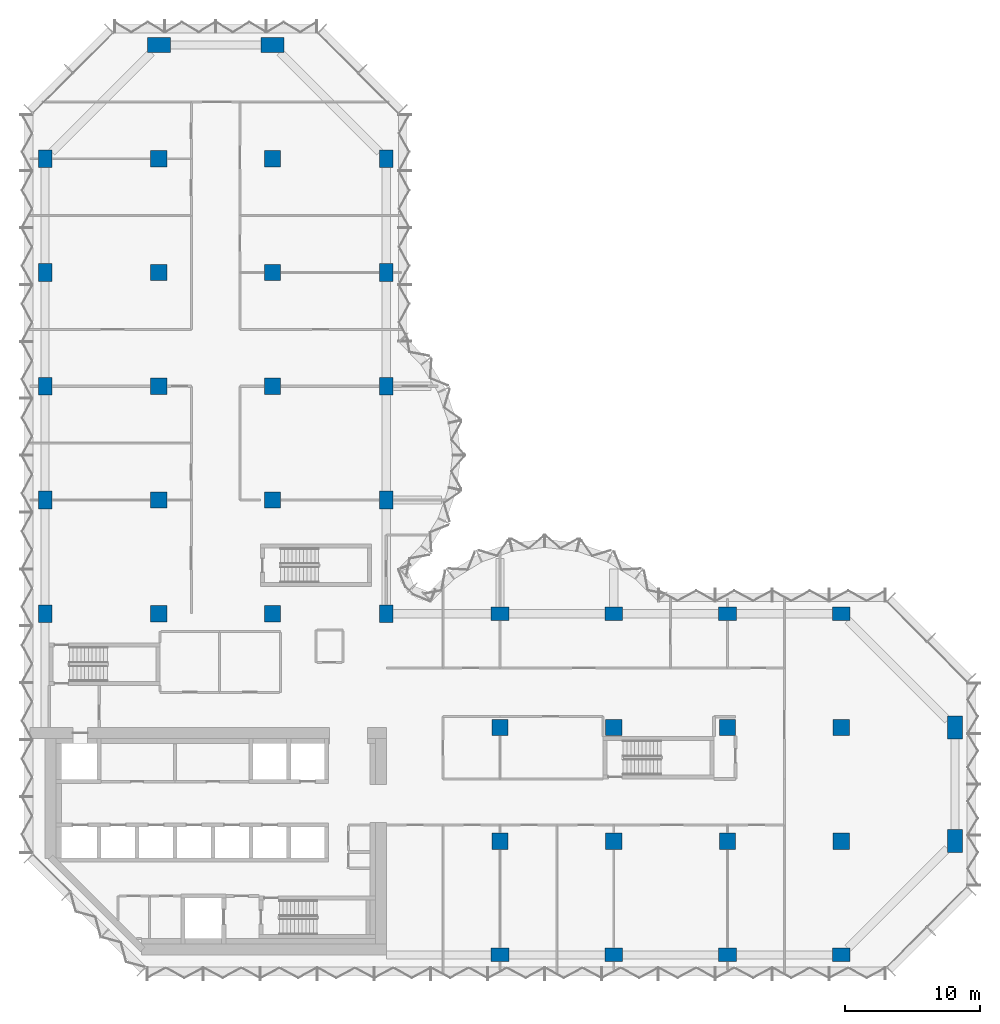
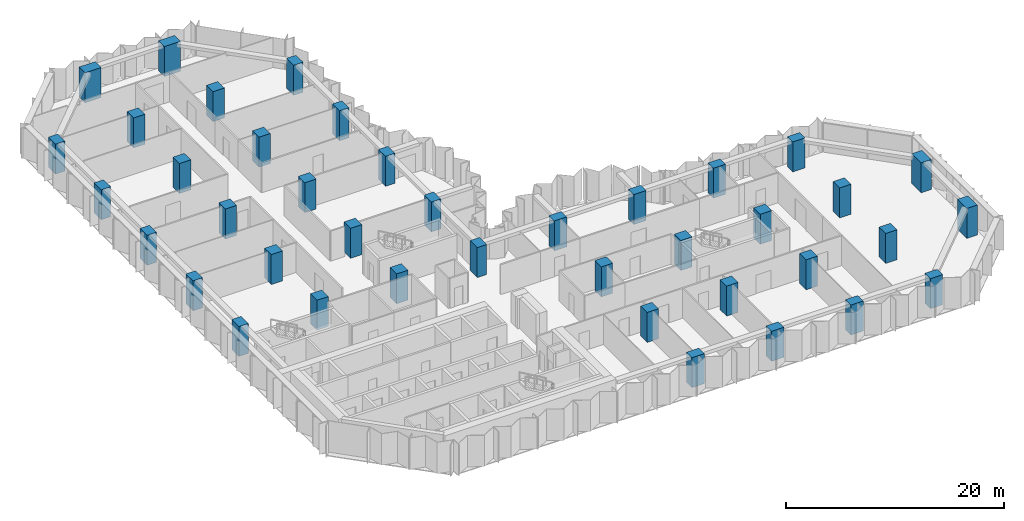
# One storey, part 1 of 13: 40 columns.
"""IFC4 building model written with IfcOpenShell, lengths in metres."""

from ifc_helpers import new_model, si_unit, direction, frame, origin, origin_2d, place, context, subcontext, project, spatial, rectangle, extrude, material, material_profile, profile_set, type_object, element, save


model = new_model("IFC4")

# Units and contexts
model_context = context("Model", 3, precision=1e-05, world=origin(), true_north=direction((0.0, 1.0)))
body_context = subcontext(model_context, "Body", "Model", "MODEL_VIEW")
ifc_project = project(units=[si_unit("LENGTHUNIT", "METRE"), si_unit("AREAUNIT", "SQUARE_METRE"), si_unit("VOLUMEUNIT", "CUBIC_METRE"), si_unit("PLANEANGLEUNIT", "RADIAN"), si_unit("MASSUNIT", "GRAM", prefix="KILO")], contexts=[model_context])

# Site, building, storey
site_placement = place(None, origin())
site = spatial("IfcSite", under=ifc_project, at=site_placement, CompositionType="ELEMENT")
building_placement = place(site_placement, origin())
building = spatial("IfcBuilding", under=site, at=building_placement, Name="Brevane Broadcast Tower", CompositionType="ELEMENT")
storey_placement = place(building_placement, frame((0.0, 0.0, 131.300048828125)))
storey = spatial("IfcBuildingStorey", under=building, at=storey_placement, Name="L32", CompositionType="ELEMENT", Elevation=131.300048828125)

# Columns
ifc_material = material(Name="Concrete C60/75", Category="concrete")
ifc_material_profile_1 = material_profile(ifc_material, rectangle(XDim=1.0, YDim=1.300048828125, at=origin_2d()), Name="RC 1000x1300")
ifc_profile_set_1 = profile_set([ifc_material_profile_1], Name="Concrete C60/75")
column_type_1 = type_object("IfcColumnType", Name="RC COLUMN EDGE 1000x1300 C60/75", PredefinedType="COLUMN", material=ifc_profile_set_1)
for number, where, z_axis, x_axis, name in (
    (1, (0.0, 25.199951171875, 0.0), (0.0, 0.0, 1.0), (1.0, 0.0, 0.0), "CE8 1/D"),
    (2, (0.0, 33.60009765625, 0.0), (0.0, 0.0, 1.0), (1.0, 0.0, 0.0), "CE8 1/E"),
    (3, (0.0, 42.0, 0.0), (0.0, 0.0, 1.0), (1.0, 0.0, 0.0), "CE8 1/F"),
    (4, (0.0, 50.39990234375, 0.0), (0.0, 0.0, 1.0), (1.0, 0.0, 0.0), "CE8 1/G"),
    (5, (0.0, 58.800048828125, 0.0), (0.0, 0.0, 1.0), (1.0, 0.0, 0.0), "CE8 1/H"),
    (6, (25.199951171875, 25.199951171875, 0.0), (0.0, 0.0, 1.0), (1.0, 0.0, 0.0), "CE8 4/D"),
    (7, (25.199951171875, 33.60009765625, 0.0), (0.0, 0.0, 1.0), (1.0, 0.0, 0.0), "CE8 4/E"),
    (8, (25.199951171875, 42.0, 0.0), (0.0, 0.0, 1.0), (1.0, 0.0, 0.0), "CE8 4/F"),
    (9, (25.199951171875, 50.39990234375, 0.0), (0.0, 0.0, 1.0), (1.0, 0.0, 0.0), "CE8 4/G"),
    (10, (25.199951171875, 58.800048828125, 0.0), (0.0, 0.0, 1.0), (1.0, 0.0, 0.0), "CE8 4/H"),
    (11, (33.60009765625, 0.0, 0.0), (0.0, 0.0, 1.0), (0.0, 1.0, 0.0), "CE8 5/A"),
    (12, (33.60009765625, 25.199951171875, 0.0), (0.0, 0.0, 1.0), (0.0, 1.0, 0.0), "CE8 5/D"),
    (13, (42.0, 0.0, 0.0), (0.0, 0.0, 1.0), (0.0, 1.0, 0.0), "CE8 6/A"),
    (14, (42.0, 25.199951171875, 0.0), (0.0, 0.0, 1.0), (0.0, 1.0, 0.0), "CE8 6/D"),
    (15, (50.39990234375, 0.0, 0.0), (0.0, 0.0, 1.0), (0.0, 1.0, 0.0), "CE8 7/A"),
    (16, (50.39990234375, 25.199951171875, 0.0), (0.0, 0.0, 1.0), (0.0, 1.0, 0.0), "CE8 7/D"),
    (17, (58.800048828125, 0.0, 0.0), (0.0, 0.0, 1.0), (0.0, 1.0, 0.0), "CE8 8/A"),
    (18, (58.800048828125, 25.199951171875, 0.0), (0.0, 0.0, 1.0), (0.0, 1.0, 0.0), "CE8 8/D"),
):
    element("IfcColumn", number, at=place(storey_placement, frame(where, z_axis=z_axis, x_axis=x_axis)), inside=storey, type_object=column_type_1, Name=name, PredefinedType="COLUMN", context=body_context, shape_type="SweptSolid", body=[
        extrude(rectangle(XDim=1.0, YDim=1.300048828125, at=origin_2d()), origin(), (0.0, 0.0, 1.0), 3.349853515625),
    ])
ifc_material_profile_2 = material_profile(ifc_material, rectangle(XDim=1.199951171875, YDim=1.199951171875, at=origin_2d()), Name="RC 1200x1200")
ifc_profile_set_2 = profile_set([ifc_material_profile_2], Name="Concrete C60/75")
column_type_2 = type_object("IfcColumnType", Name="RC COLUMN INTERIOR 1200x1200 C60/75", PredefinedType="COLUMN", material=ifc_profile_set_2)
for number, where, z_axis, x_axis, name in (
    (19, (8.39990234375, 25.199951171875, 0.0), (0.0, 0.0, 1.0), (1.0, 0.0, 0.0), "CI9 2/D"),
    (20, (8.39990234375, 33.60009765625, 0.0), (0.0, 0.0, 1.0), (1.0, 0.0, 0.0), "CI9 2/E"),
    (21, (8.39990234375, 42.0, 0.0), (0.0, 0.0, 1.0), (1.0, 0.0, 0.0), "CI9 2/F"),
    (22, (8.39990234375, 50.39990234375, 0.0), (0.0, 0.0, 1.0), (1.0, 0.0, 0.0), "CI9 2/G"),
    (23, (8.39990234375, 58.800048828125, 0.0), (0.0, 0.0, 1.0), (1.0, 0.0, 0.0), "CI9 2/H"),
    (24, (16.800048828125, 25.199951171875, 0.0), (0.0, 0.0, 1.0), (1.0, 0.0, 0.0), "CI9 3/D"),
    (25, (16.800048828125, 33.60009765625, 0.0), (0.0, 0.0, 1.0), (1.0, 0.0, 0.0), "CI9 3/E"),
    (26, (16.800048828125, 42.0, 0.0), (0.0, 0.0, 1.0), (1.0, 0.0, 0.0), "CI9 3/F"),
    (27, (16.800048828125, 50.39990234375, 0.0), (0.0, 0.0, 1.0), (1.0, 0.0, 0.0), "CI9 3/G"),
    (28, (16.800048828125, 58.800048828125, 0.0), (0.0, 0.0, 1.0), (1.0, 0.0, 0.0), "CI9 3/H"),
    (29, (33.60009765625, 8.39990234375, 0.0), (0.0, 0.0, 1.0), (1.0, 0.0, 0.0), "CI9 5/B"),
    (30, (33.60009765625, 16.800048828125, 0.0), (0.0, 0.0, 1.0), (1.0, 0.0, 0.0), "CI9 5/C"),
    (31, (42.0, 8.39990234375, 0.0), (0.0, 0.0, 1.0), (1.0, 0.0, 0.0), "CI9 6/B"),
    (32, (42.0, 16.800048828125, 0.0), (0.0, 0.0, 1.0), (1.0, 0.0, 0.0), "CI9 6/C"),
    (33, (50.39990234375, 8.39990234375, 0.0), (0.0, 0.0, 1.0), (1.0, 0.0, 0.0), "CI9 7/B"),
    (34, (50.39990234375, 16.800048828125, 0.0), (0.0, 0.0, 1.0), (1.0, 0.0, 0.0), "CI9 7/C"),
    (35, (58.800048828125, 8.39990234375, 0.0), (0.0, 0.0, 1.0), (1.0, 0.0, 0.0), "CI9 8/B"),
    (36, (58.800048828125, 16.800048828125, 0.0), (0.0, 0.0, 1.0), (1.0, 0.0, 0.0), "CI9 8/C"),
):
    element("IfcColumn", number, at=place(storey_placement, frame(where, z_axis=z_axis, x_axis=x_axis)), inside=storey, type_object=column_type_2, Name=name, PredefinedType="COLUMN", context=body_context, shape_type="SweptSolid", body=[
        extrude(rectangle(XDim=1.199951171875, YDim=1.199951171875, at=origin_2d()), origin(), (0.0, 0.0, 1.0), 3.349853515625),
    ])
ifc_material_profile_3 = material_profile(ifc_material, rectangle(XDim=1.10009765625, YDim=1.699951171875, at=origin_2d()), Name="RC 1100x1700")
ifc_profile_set_3 = profile_set([ifc_material_profile_3], Name="Concrete C60/75")
column_type_3 = type_object("IfcColumnType", Name="RC COLUMN WING-END 1100x1700 C60/75", PredefinedType="COLUMN", material=ifc_profile_set_3)
for number, where, z_axis, x_axis, name in (
    (37, (8.39990234375, 67.199951171875, 0.0), (0.0, 0.0, 1.0), (0.0, 1.0, 0.0), "CW10 2/I"),
    (38, (16.800048828125, 67.199951171875, 0.0), (0.0, 0.0, 1.0), (0.0, 1.0, 0.0), "CW10 3/I"),
    (39, (67.199951171875, 8.39990234375, 0.0), (0.0, 0.0, 1.0), (1.0, 0.0, 0.0), "CW10 9/B"),
    (40, (67.199951171875, 16.800048828125, 0.0), (0.0, 0.0, 1.0), (1.0, 0.0, 0.0), "CW10 9/C"),
):
    element("IfcColumn", number, at=place(storey_placement, frame(where, z_axis=z_axis, x_axis=x_axis)), inside=storey, type_object=column_type_3, Name=name, PredefinedType="COLUMN", context=body_context, shape_type="SweptSolid", body=[
        extrude(rectangle(XDim=1.10009765625, YDim=1.699951171875, at=origin_2d()), origin(), (0.0, 0.0, 1.0), 3.349853515625),
    ])

save(model, "model.ifc")
